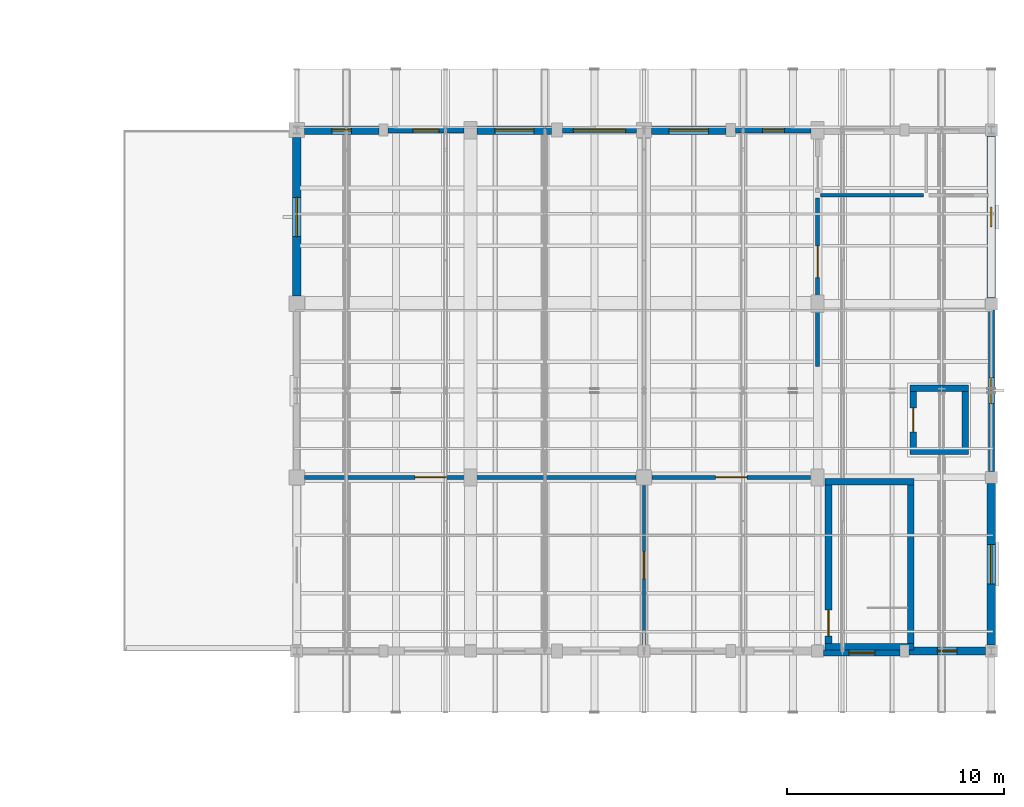
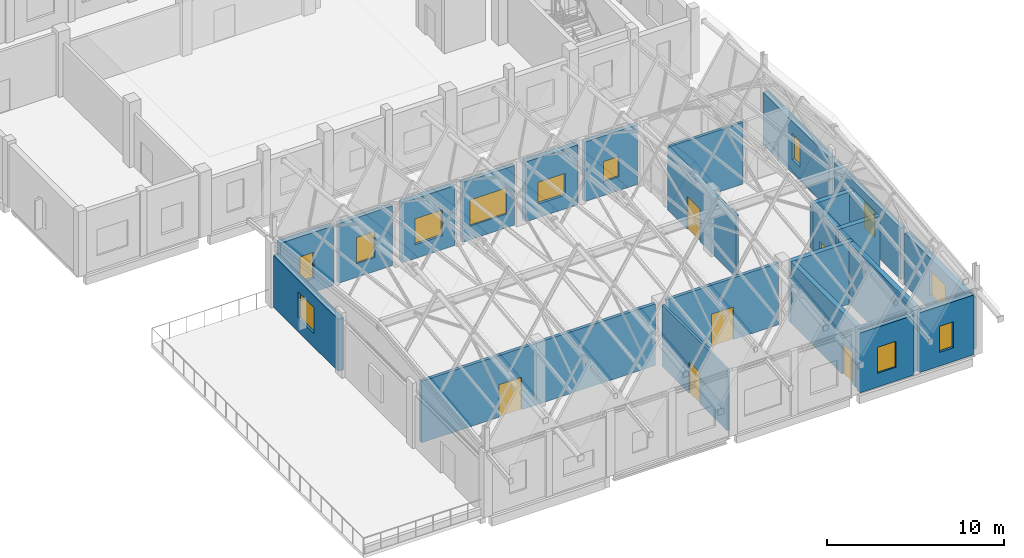
# One storey, part 46 of 77: 25 walls, 12 windows, 6 doors, 18 openings.
"""IFC4 building model written with IfcOpenShell, lengths in metres."""

import ifcopenshell
import ifcopenshell.guid

model = None  # the IFC model being written
_history = None  # IfcOwnerHistory: only IFC2X3 demands one
_inside = {}  # id of a spatial element -> (the spatial element, [elements in it])
_under = {}  # id of a project, library or spatial element -> (it, [spatial elements below it])
_declared = {}  # id of a project -> (the project, [libraries it declares])
_typed = {}  # id of a type object -> (the type object, [elements of that type])
_made_of = {}  # id of a material, layer set ... -> (it, [elements and type objects made of it])


def new_model(schema):
    """Start an empty IFC model of exactly this schema.

    Asked for "IFC4X3", IfcOpenShell would pick the latest addendum, in which some entities
    have other attributes; the version numbers below select the first issue.
    IFC2X3 requires an IfcOwnerHistory on every rooted entity: one is made here for all.
    """
    global model, _history
    if schema == "IFC4X3":
        model = ifcopenshell.file(schema_version=(4, 3, 0, 0))
    else:
        model = ifcopenshell.file(schema=schema)
    _inside.clear()
    _under.clear()
    _declared.clear()
    _typed.clear()
    _made_of.clear()
    _history = None
    if model.schema == "IFC2X3":
        org = make("IfcOrganization", Name="unknown")
        user = make(
            "IfcPersonAndOrganization",
            ThePerson=make("IfcPerson", FamilyName="unknown"),
            TheOrganization=org,
        )
        app = make(
            "IfcApplication",
            ApplicationDeveloper=org,
            Version="unknown",
            ApplicationFullName="unknown",
            ApplicationIdentifier="unknown",
        )
        _history = make(
            "IfcOwnerHistory",
            OwningUser=user,
            OwningApplication=app,
            ChangeAction="ADDED",
            CreationDate=0,
        )
    return model


def make(cls, **values):
    """One entity of the class cls with the attributes given. An attribute that is None is left unset."""
    return model.create_entity(
        cls, **{name: value for name, value in values.items() if value is not None}
    )


def rooted(cls, **values):
    """An entity with a GlobalId (a new one), such as an element, a storey or a relation."""
    return make(cls, GlobalId=ifcopenshell.guid.new(), OwnerHistory=_history, **values)


def si_unit(unit_type, name, prefix=None):
    """IfcSIUnit, for example si_unit("LENGTHUNIT", "METRE", prefix="MILLI")."""
    return make("IfcSIUnit", UnitType=unit_type, Prefix=prefix, Name=name)


def assignment(units):
    """IfcUnitAssignment: the units of a project."""
    return None if units is None else make("IfcUnitAssignment", Units=units)


def point(xyz):
    """IfcCartesianPoint."""
    return None if xyz is None else make("IfcCartesianPoint", Coordinates=xyz)


def direction(xyz):
    """IfcDirection."""
    return None if xyz is None else make("IfcDirection", DirectionRatios=xyz)


def frame(location, z_axis=None, x_axis=None):
    """IfcAxis2Placement3D, a coordinate frame: its origin and axes. An axis left out is left unset."""
    return make(
        "IfcAxis2Placement3D",
        Location=point(location),
        Axis=direction(z_axis),
        RefDirection=direction(x_axis),
    )


def frame_2d(location, x_axis=None):
    """IfcAxis2Placement2D, a coordinate frame in the plane: its origin and x axis."""
    return make(
        "IfcAxis2Placement2D", Location=point(location), RefDirection=direction(x_axis)
    )


def origin():
    """The frame at (0, 0, 0) with its axes left unset."""
    return frame((0.0, 0.0, 0.0))


def place(relative_to, where):
    """IfcLocalPlacement: puts the frame where relative to a parent placement (None: the world)."""
    return make(
        "IfcLocalPlacement", PlacementRelTo=relative_to, RelativePlacement=where
    )


def context(
    kind, dimensions, precision=None, world=None, true_north=None, identifier=None
):
    """IfcGeometricRepresentationContext, for example the 3D "Model" context."""
    return make(
        "IfcGeometricRepresentationContext",
        ContextIdentifier=identifier,
        ContextType=kind,
        CoordinateSpaceDimension=dimensions,
        Precision=precision,
        WorldCoordinateSystem=world,
        TrueNorth=true_north,
    )


def subcontext(parent, identifier, kind, view, scale=None):
    """IfcGeometricRepresentationSubContext, for example "Body" below "Model"."""
    return make(
        "IfcGeometricRepresentationSubContext",
        ContextIdentifier=identifier,
        ContextType=kind,
        ParentContext=parent,
        TargetScale=scale,
        TargetView=view,
    )


def project(units=None, contexts=None):
    """IfcProject with its units and contexts."""
    return rooted(
        "IfcProject",
        Name="project",
        RepresentationContexts=contexts,
        UnitsInContext=assignment(units),
    )


def spatial(cls, under=None, at=None, **own):
    """A site, building, storey or space (cls), placed at a placement, below another one or the project."""
    s = rooted(cls, ObjectPlacement=at, **own)
    if under is not None:
        _under.setdefault(under.id(), (under, []))[1].append(s)
    return s


def profile(cls, at=None, kind="AREA", **sizes):
    """A parametric profile (cls). Its sizes go by their IFC names, for example OverallWidth=200.0."""
    return make(cls, ProfileType=kind, Position=at, **sizes)


def rectangle(**sizes):
    """IfcRectangleProfileDef."""
    return profile("IfcRectangleProfileDef", **sizes)


def extrude(swept, where, along, depth):
    """IfcExtrudedAreaSolid: the profile swept, set in the frame where, extruded along a direction by depth."""
    return make(
        "IfcExtrudedAreaSolid",
        SweptArea=swept,
        Position=where,
        ExtrudedDirection=direction(along),
        Depth=depth,
    )


def shape(context_of_items, identifier, shape_type, items):
    """IfcShapeRepresentation: the items that make up one representation, for example the "Body"."""
    return make(
        "IfcShapeRepresentation",
        ContextOfItems=context_of_items,
        RepresentationIdentifier=identifier,
        RepresentationType=shape_type,
        Items=items,
    )


def material(Name=None, Category=None):
    """IfcMaterial."""
    return make("IfcMaterial", Name=Name, Category=Category)


def layer(
    of_material, thickness, ventilated=None, Name=None, Category=None, Priority=None
):
    """IfcMaterialLayer: one layer of a wall or slab, of a material (None: an air gap)."""
    return make(
        "IfcMaterialLayer",
        Material=of_material,
        LayerThickness=thickness,
        IsVentilated=ventilated,
        Name=Name,
        Category=Category,
        Priority=Priority,
    )


def layer_set(layers, Name=None):
    """IfcMaterialLayerSet."""
    return make("IfcMaterialLayerSet", MaterialLayers=layers, LayerSetName=Name)


def made_of(thing, what):
    """Note that an element or type object is made of a material, layer set ...; save() writes the relation."""
    if what is not None:
        _made_of.setdefault(what.id(), (what, []))[1].append(thing)
    return thing


def type_object(cls, material=None, **own):
    """A type object (cls), such as IfcWallType, which elements share."""
    return made_of(rooted(cls, **own), material)


def element(
    cls,
    number,
    at=None,
    inside=None,
    cuts=None,
    type_object=None,
    material=None,
    context=None,
    identifier="Body",
    shape_type=None,
    held_by="IfcProductDefinitionShape",
    body=None,
    shapes=None,
    **own,
):
    """One element of the class cls, such as IfcWall. Its Tag is "e" and its number.

    at: its placement. inside: the storey or other place that contains it. cuts: it is an
    opening in that element (IfcRelVoidsElement). A single representation is given by context,
    identifier, shape_type and body (its items); several are given by shapes. held_by: the class
    of the entity that holds the representations. save() writes the other relations.
    """
    e = rooted(cls, Tag="e%d" % number, ObjectPlacement=at, **own)
    if body is not None:
        shapes = [shape(context, identifier, shape_type, body)]
    if shapes is not None:
        e.Representation = make(held_by, Representations=shapes)
    if inside is not None:
        _inside.setdefault(inside.id(), (inside, []))[1].append(e)
    if cuts is not None:
        rooted(
            "IfcRelVoidsElement", RelatingBuildingElement=cuts, RelatedOpeningElement=e
        )
    if type_object is not None:
        _typed.setdefault(type_object.id(), (type_object, []))[1].append(e)
    return made_of(e, material)


def fill(opening, filler):
    """IfcRelFillsElement: the door or window that sits in an opening."""
    return rooted(
        "IfcRelFillsElement",
        RelatingOpeningElement=opening,
        RelatedBuildingElement=filler,
    )


def aggregate(whole, parts):
    """IfcRelAggregates: a whole, such as a stair, and the parts it consists of."""
    return rooted("IfcRelAggregates", RelatingObject=whole, RelatedObjects=parts)


def save(model, path):
    """Write the relations noted so far, then the file.

    IfcRelAggregates (storeys below a building ...), IfcRelContainedInSpatialStructure (elements
    in a storey), IfcRelDefinesByType, IfcRelAssociatesMaterial and IfcRelDeclares: one each for
    every whole, place, type object, material and project.
    """
    for whole, parts in _under.values():
        aggregate(whole, parts)
    for where, things in _inside.values():
        rooted(
            "IfcRelContainedInSpatialStructure",
            RelatedElements=things,
            RelatingStructure=where,
        )
    for kind, things in _typed.values():
        rooted("IfcRelDefinesByType", RelatedObjects=things, RelatingType=kind)
    for what, things in _made_of.values():
        rooted("IfcRelAssociatesMaterial", RelatedObjects=things, RelatingMaterial=what)
    for by, libraries in _declared.values():
        rooted("IfcRelDeclares", RelatingContext=by, RelatedDefinitions=libraries)
    model.write(path)


model = new_model("IFC4")

# Units and contexts
model_context = context("Model", 3, precision=1e-05, world=origin(), true_north=direction((0.0, 1.0)))
body_context = subcontext(model_context, "Body", "Model", "MODEL_VIEW")
ifc_project = project(units=[si_unit("LENGTHUNIT", "METRE"), si_unit("AREAUNIT", "SQUARE_METRE"), si_unit("VOLUMEUNIT", "CUBIC_METRE"), si_unit("PLANEANGLEUNIT", "RADIAN"), si_unit("MASSUNIT", "GRAM", prefix="KILO")], contexts=[model_context])

# Site, building, storey
site_placement = place(None, origin())
site = spatial("IfcSite", under=ifc_project, at=site_placement, CompositionType="ELEMENT")
building_placement = place(site_placement, origin())
building = spatial("IfcBuilding", under=site, at=building_placement, Name="Luwemba Playhouse", CompositionType="ELEMENT")
storey_placement = place(building_placement, frame((0.0, 0.0, 9.300048828125)))
storey = spatial("IfcBuildingStorey", under=building, at=storey_placement, Name="L02", CompositionType="ELEMENT", Elevation=9.300048828125)

# Wall, opening, window
ifc_material_1 = material(Name="Clay facing brick obra vista masonry", Category="masonry")
ifc_layer_1 = layer(ifc_material_1, 0.3798828125)
ifc_layer_set_1 = layer_set([ifc_layer_1], Name="Clay facing brick obra vista masonry")
wall_type_1 = type_object("IfcWallType", Name="WAL-BRK-380", PredefinedType="SOLIDWALL", material=ifc_layer_set_1)
wall_1_placement = place(storey_placement, frame((140.0, 52.35009765625, 0.0), z_axis=(0.0, 0.0, 1.0), x_axis=(0.0, 1.0, 0.0)))
wall_1 = element("IfcWall", 1, at=wall_1_placement, inside=storey, type_object=wall_type_1, Name="L02 V3 exterior facade wall 0305", PredefinedType="SOLIDWALL", context=body_context, shape_type="SweptSolid", body=[
    extrude(rectangle(XDim=7.2998046875, YDim=0.3798828125, at=frame_2d((3.64990234375, 0.0))), origin(), (0.0, 0.0, 1.0), 3.5849609375),
])
opening_1_placement = place(wall_1_placement, frame((2.75, 0.0, 0.949951171875)))
opening_1 = element("IfcOpeningElement", 2, at=opening_1_placement, cuts=wall_1, Name="Opening WN-04", PredefinedType="OPENING", context=body_context, shape_type="SweptSolid", body=[
    extrude(rectangle(XDim=1.800048828125, YDim=1.800048828125, at=frame_2d((0.89990234375, 0.89990234375))), frame((0.0, 0.199951171875, 0.0), z_axis=(0.0, -1.0, 0.0), x_axis=(1.0, 0.0, 0.0)), (0.0, 0.0, 1.0), 0.39990234375),
])
ifc_material_2 = material(Name="Solar-control double glazing in aluminium frame", Category="aluminium")
window_type_1 = type_object("IfcWindowType", Name="WIN-WN-04", PartitioningType="DOUBLE_PANEL_VERTICAL", PredefinedType="WINDOW", material=ifc_material_2)
window_1_placement = place(opening_1_placement, origin())
window_1 = element("IfcWindow", 3, at=window_1_placement, inside=storey, type_object=window_type_1, Name="L02 V3 scheduled window 0250", OverallHeight=1.800048828125, OverallWidth=1.800048828125, PartitioningType="DOUBLE_PANEL_VERTICAL", PredefinedType="WINDOW", context=body_context, shape_type="SweptSolid", body=[
    extrude(rectangle(XDim=1.800048828125, YDim=1.800048828125, at=frame_2d((0.89990234375, 0.89990234375))), frame((0.0, 0.030029296875, 0.0), z_axis=(0.0, -1.0, 0.0), x_axis=(1.0, 0.0, 0.0)), (0.0, 0.0, 1.0), 0.06005859375),
])
fill(opening_1, window_1)

wall_2_placement = place(storey_placement, frame((140.35009765625, 60.0, 0.0), z_axis=(0.0, 0.0, 1.0), x_axis=(1.0, 0.0, 0.0)))
wall_2 = element("IfcWall", 4, at=wall_2_placement, inside=storey, type_object=wall_type_1, Name="L02 V3 exterior facade wall 0306", PredefinedType="SOLIDWALL", context=body_context, shape_type="SweptSolid", body=[
    extrude(rectangle(XDim=3.449951171875, YDim=0.3798828125, at=frame_2d((1.72509765625, 0.0))), origin(), (0.0, 0.0, 1.0), 4.125),
])
opening_2_placement = place(wall_2_placement, frame((1.27490234375, 0.0, 0.949951171875)))
opening_2 = element("IfcOpeningElement", 5, at=opening_2_placement, cuts=wall_2, Name="Opening WN-18", PredefinedType="OPENING", context=body_context, shape_type="SweptSolid", body=[
    extrude(rectangle(XDim=0.89990234375, YDim=1.800048828125, at=frame_2d((0.449951171875, 0.89990234375))), frame((0.0, 0.199951171875, 0.0), z_axis=(0.0, -1.0, 0.0), x_axis=(1.0, 0.0, 0.0)), (0.0, 0.0, 1.0), 0.39990234375),
])
window_type_2 = type_object("IfcWindowType", Name="WIN-WN-18", PartitioningType="SINGLE_PANEL", PredefinedType="WINDOW", material=ifc_material_2)
window_2_placement = place(opening_2_placement, origin())
window_2 = element("IfcWindow", 6, at=window_2_placement, inside=storey, type_object=window_type_2, Name="L02 V3 scheduled window 0251", OverallHeight=1.800048828125, OverallWidth=0.89990234375, PartitioningType="SINGLE_PANEL", PredefinedType="WINDOW", context=body_context, shape_type="SweptSolid", body=[
    extrude(rectangle(XDim=0.89990234375, YDim=1.800048828125, at=frame_2d((0.449951171875, 0.89990234375))), frame((0.0, 0.030029296875, 0.0), z_axis=(0.0, -1.0, 0.0), x_axis=(1.0, 0.0, 0.0)), (0.0, 0.0, 1.0), 0.06005859375),
])
fill(opening_2, window_2)

wall_3_placement = place(storey_placement, frame((148.300048828125, 60.0, 0.0), z_axis=(0.0, 0.0, 1.0), x_axis=(1.0, 0.0, 0.0)))
wall_3 = element("IfcWall", 7, at=wall_3_placement, inside=storey, type_object=wall_type_1, Name="L02 V3 exterior facade wall 0308", PredefinedType="SOLIDWALL", context=body_context, shape_type="SweptSolid", body=[
    extrude(rectangle(XDim=3.449951171875, YDim=0.3798828125, at=frame_2d((1.72509765625, 0.0))), origin(), (0.0, 0.0, 1.0), 4.125),
])
opening_3_placement = place(wall_3_placement, frame((0.824951171875, 0.0, 0.949951171875)))
opening_3 = element("IfcOpeningElement", 8, at=opening_3_placement, cuts=wall_3, Name="Opening WN-04", PredefinedType="OPENING", context=body_context, shape_type="SweptSolid", body=[
    extrude(rectangle(XDim=1.800048828125, YDim=1.800048828125, at=frame_2d((0.89990234375, 0.89990234375))), frame((0.0, 0.199951171875, 0.0), z_axis=(0.0, -1.0, 0.0), x_axis=(1.0, 0.0, 0.0)), (0.0, 0.0, 1.0), 0.39990234375),
])
window_3_placement = place(opening_3_placement, origin())
window_3 = element("IfcWindow", 9, at=window_3_placement, inside=storey, type_object=window_type_1, Name="L02 V3 scheduled window 0253", OverallHeight=1.800048828125, OverallWidth=1.800048828125, PartitioningType="DOUBLE_PANEL_VERTICAL", PredefinedType="WINDOW", context=body_context, shape_type="SweptSolid", body=[
    extrude(rectangle(XDim=1.800048828125, YDim=1.800048828125, at=frame_2d((0.89990234375, 0.89990234375))), frame((0.0, 0.030029296875, 0.0), z_axis=(0.0, -1.0, 0.0), x_axis=(1.0, 0.0, 0.0)), (0.0, 0.0, 1.0), 0.06005859375),
])
fill(opening_3, window_3)

wall_4_placement = place(storey_placement, frame((156.35009765625, 60.0, 0.0), z_axis=(0.0, 0.0, 1.0), x_axis=(1.0, 0.0, 0.0)))
wall_4 = element("IfcWall", 10, at=wall_4_placement, inside=storey, type_object=wall_type_1, Name="L02 V3 exterior facade wall 0310", PredefinedType="SOLIDWALL", context=body_context, shape_type="SweptSolid", body=[
    extrude(rectangle(XDim=3.4248046875, YDim=0.3798828125, at=frame_2d((1.71240234375, 0.0))), origin(), (0.0, 0.0, 1.0), 4.125),
])
opening_4_placement = place(wall_4_placement, frame((0.8125, 0.0, 0.949951171875)))
opening_4 = element("IfcOpeningElement", 11, at=opening_4_placement, cuts=wall_4, Name="Opening WN-10", PredefinedType="OPENING", context=body_context, shape_type="SweptSolid", body=[
    extrude(rectangle(XDim=1.800048828125, YDim=1.5, at=frame_2d((0.89990234375, 0.75))), frame((0.0, 0.199951171875, 0.0), z_axis=(0.0, -1.0, 0.0), x_axis=(1.0, 0.0, 0.0)), (0.0, 0.0, 1.0), 0.39990234375),
])
window_type_3 = type_object("IfcWindowType", Name="WIN-WN-10", PartitioningType="DOUBLE_PANEL_VERTICAL", PredefinedType="WINDOW", material=ifc_material_2)
window_4_placement = place(opening_4_placement, origin())
window_4 = element("IfcWindow", 12, at=window_4_placement, inside=storey, type_object=window_type_3, Name="L02 V3 scheduled window 0255", OverallHeight=1.5, OverallWidth=1.800048828125, PartitioningType="DOUBLE_PANEL_VERTICAL", PredefinedType="WINDOW", context=body_context, shape_type="SweptSolid", body=[
    extrude(rectangle(XDim=1.800048828125, YDim=1.5, at=frame_2d((0.89990234375, 0.75))), frame((0.0, 0.030029296875, 0.0), z_axis=(0.0, -1.0, 0.0), x_axis=(1.0, 0.0, 0.0)), (0.0, 0.0, 1.0), 0.06005859375),
])
fill(opening_4, window_4)

wall_5_placement = place(storey_placement, frame((172.0, 59.72509765625, 0.0), z_axis=(0.0, 0.0, 1.0), x_axis=(0.0, -1.0, 0.0)))
wall_5 = element("IfcWall", 13, at=wall_5_placement, inside=storey, type_object=wall_type_1, Name="L02 V3 exterior facade wall 0314", PredefinedType="SOLIDWALL", context=body_context, shape_type="SweptSolid", body=[
    extrude(rectangle(XDim=7.4501953125, YDim=0.3798828125, at=frame_2d((3.72509765625, 0.0))), origin(), (0.0, 0.0, 1.0), 3.5849609375),
])
opening_5_placement = place(wall_5_placement, frame((3.27490234375, 0.0, 0.949951171875)))
opening_5 = element("IfcOpeningElement", 14, at=opening_5_placement, cuts=wall_5, Name="Opening WN-18", PredefinedType="OPENING", context=body_context, shape_type="SweptSolid", body=[
    extrude(rectangle(XDim=0.89990234375, YDim=1.800048828125, at=frame_2d((0.449951171875, 0.89990234375))), frame((0.0, 0.199951171875, 0.0), z_axis=(0.0, -1.0, 0.0), x_axis=(1.0, 0.0, 0.0)), (0.0, 0.0, 1.0), 0.39990234375),
])
window_5_placement = place(opening_5_placement, origin())
window_5 = element("IfcWindow", 15, at=window_5_placement, inside=storey, type_object=window_type_2, Name="L02 V3 scheduled window 0259", OverallHeight=1.800048828125, OverallWidth=0.89990234375, PartitioningType="SINGLE_PANEL", PredefinedType="WINDOW", context=body_context, shape_type="SweptSolid", body=[
    extrude(rectangle(XDim=0.89990234375, YDim=1.800048828125, at=frame_2d((0.449951171875, 0.89990234375))), frame((0.0, 0.030029296875, 0.0), z_axis=(0.0, -1.0, 0.0), x_axis=(1.0, 0.0, 0.0)), (0.0, 0.0, 1.0), 0.06005859375),
])
fill(opening_5, window_5)

wall_6_placement = place(storey_placement, frame((172.0, 43.72509765625, 0.0), z_axis=(0.0, 0.0, 1.0), x_axis=(0.0, -1.0, 0.0)))
wall_6 = element("IfcWall", 16, at=wall_6_placement, inside=storey, type_object=wall_type_1, Name="L02 V3 exterior facade wall 0316", PredefinedType="SOLIDWALL", context=body_context, shape_type="SweptSolid", body=[
    extrude(rectangle(XDim=7.4501953125, YDim=0.3798828125, at=frame_2d((3.72509765625, 0.0))), origin(), (0.0, 0.0, 1.0), 3.5849609375),
])
opening_6_placement = place(wall_6_placement, frame((2.824951171875, 0.0, 0.949951171875)))
opening_6 = element("IfcOpeningElement", 17, at=opening_6_placement, cuts=wall_6, Name="Opening WN-04", PredefinedType="OPENING", context=body_context, shape_type="SweptSolid", body=[
    extrude(rectangle(XDim=1.800048828125, YDim=1.800048828125, at=frame_2d((0.89990234375, 0.89990234375))), frame((0.0, 0.199951171875, 0.0), z_axis=(0.0, -1.0, 0.0), x_axis=(1.0, 0.0, 0.0)), (0.0, 0.0, 1.0), 0.39990234375),
])
window_6_placement = place(opening_6_placement, origin())
window_6 = element("IfcWindow", 18, at=window_6_placement, inside=storey, type_object=window_type_1, Name="L02 V3 scheduled window 0261", OverallHeight=1.800048828125, OverallWidth=1.800048828125, PartitioningType="DOUBLE_PANEL_VERTICAL", PredefinedType="WINDOW", context=body_context, shape_type="SweptSolid", body=[
    extrude(rectangle(XDim=1.800048828125, YDim=1.800048828125, at=frame_2d((0.89990234375, 0.89990234375))), frame((0.0, 0.030029296875, 0.0), z_axis=(0.0, -1.0, 0.0), x_axis=(1.0, 0.0, 0.0)), (0.0, 0.0, 1.0), 0.06005859375),
])
fill(opening_6, window_6)

wall_7_placement = place(storey_placement, frame((171.72509765625, 36.0, 0.0), z_axis=(0.0, 0.0, 1.0), x_axis=(-1.0, 0.0, 0.0)))
wall_7 = element("IfcWall", 19, at=wall_7_placement, inside=storey, type_object=wall_type_1, Name="L02 V3 exterior facade wall 0317", PredefinedType="SOLIDWALL", context=body_context, shape_type="SweptSolid", body=[
    extrude(rectangle(XDim=3.525146484375, YDim=0.3798828125, at=frame_2d((1.7626953125, 0.0))), origin(), (0.0, 0.0, 1.0), 4.125),
])
opening_7_placement = place(wall_7_placement, frame((1.3125, 0.0, 0.949951171875)))
opening_7 = element("IfcOpeningElement", 20, at=opening_7_placement, cuts=wall_7, Name="Opening WN-18", PredefinedType="OPENING", context=body_context, shape_type="SweptSolid", body=[
    extrude(rectangle(XDim=0.89990234375, YDim=1.800048828125, at=frame_2d((0.449951171875, 0.89990234375))), frame((0.0, 0.199951171875, 0.0), z_axis=(0.0, -1.0, 0.0), x_axis=(1.0, 0.0, 0.0)), (0.0, 0.0, 1.0), 0.39990234375),
])
window_7_placement = place(opening_7_placement, origin())
window_7 = element("IfcWindow", 21, at=window_7_placement, inside=storey, type_object=window_type_2, Name="L02 V3 scheduled window 0262", OverallHeight=1.800048828125, OverallWidth=0.89990234375, PartitioningType="SINGLE_PANEL", PredefinedType="WINDOW", context=body_context, shape_type="SweptSolid", body=[
    extrude(rectangle(XDim=0.89990234375, YDim=1.800048828125, at=frame_2d((0.449951171875, 0.89990234375))), frame((0.0, 0.030029296875, 0.0), z_axis=(0.0, -1.0, 0.0), x_axis=(1.0, 0.0, 0.0)), (0.0, 0.0, 1.0), 0.06005859375),
])
fill(opening_7, window_7)

# Walls
ifc_material_3 = material(Name="Concrete C40/50", Category="concrete")
ifc_layer_2 = layer(ifc_material_3, 0.300048828125)
ifc_layer_set_2 = layer_set([ifc_layer_2], Name="Concrete C40/50")
wall_type_2 = type_object("IfcWallType", Name="WAL-CORE-300", PredefinedType="SHEAR", material=ifc_layer_set_2)
for number, where, z_axis, x_axis, name in (
    (22, (164.35009765625, 36.18994140625, 0.0), (0.0, 0.0, 1.0), (1.0, 0.0, 0.0), "L02 ST-06 stair core wall S"),
    (23, (168.449951171875, 43.81005859375, 0.0), (0.0, 0.0, 1.0), (-1.0, 0.0, 0.0), "L02 ST-06 stair core wall N"),
):
    element("IfcWall", number, at=place(storey_placement, frame(where, z_axis=z_axis, x_axis=x_axis)), inside=storey, type_object=wall_type_2, Name=name, PredefinedType="SHEAR", context=body_context, shape_type="SweptSolid", body=[
        extrude(rectangle(XDim=4.099853515625, YDim=0.300048828125, at=frame_2d((2.0498046875, 0.0))), origin(), (0.0, 0.0, 1.0), 4.25),
    ])

# Wall, opening, door
wall_8_placement = place(storey_placement, frame((164.5, 43.659912109375, 0.0), z_axis=(0.0, 0.0, 1.0), x_axis=(0.0, -1.0, 0.0)))
wall_8 = element("IfcWall", 24, at=wall_8_placement, inside=storey, type_object=wall_type_2, Name="L02 ST-06 stair core wall W", PredefinedType="SHEAR", context=body_context, shape_type="SweptSolid", body=[
    extrude(rectangle(XDim=7.31982421875, YDim=0.300048828125, at=frame_2d((3.659912109375, 0.0))), origin(), (0.0, 0.0, 1.0), 4.25),
])
opening_8_placement = place(wall_8_placement, frame((5.77001953125, 0.0, 0.0)))
opening_8 = element("IfcOpeningElement", 25, at=opening_8_placement, cuts=wall_8, Name="Opening D-STAIR3", PredefinedType="OPENING", context=body_context, shape_type="SweptSolid", body=[
    extrude(rectangle(XDim=1.199951171875, YDim=2.14990234375, at=frame_2d((0.60009765625, 1.074951171875))), frame((0.0, 0.159912109375, 0.0), z_axis=(0.0, -1.0, 0.0), x_axis=(1.0, 0.0, 0.0)), (0.0, 0.0, 1.0), 0.320068359375),
])
ifc_material_4 = material(Name="Hardwood acoustic fire door leaf", Category="wood")
door_type_1 = type_object("IfcDoorType", Name="DR-STAIR-120", OperationType="NOTDEFINED", PredefinedType="DOOR", material=ifc_material_4)
door_1_placement = place(opening_8_placement, origin())
door_1 = element("IfcDoor", 26, at=door_1_placement, inside=storey, type_object=door_type_1, Name="L02 ST-06 protected stair entry door", OperationType="SINGLE_SWING_LEFT", OverallHeight=2.14990234375, OverallWidth=1.199951171875, PredefinedType="DOOR", context=body_context, shape_type="SweptSolid", body=[
    extrude(rectangle(XDim=1.199951171875, YDim=2.14990234375, at=frame_2d((0.60009765625, 1.074951171875))), frame((0.0, 0.02490234375, 0.0), z_axis=(0.0, -1.0, 0.0), x_axis=(1.0, 0.0, 0.0)), (0.0, 0.0, 1.0), 0.050048828125),
])
fill(opening_8, door_1)

# Walls
wall_9_placement = place(storey_placement, frame((168.300048828125, 43.659912109375, 0.0), z_axis=(0.0, 0.0, 1.0), x_axis=(0.0, -1.0, 0.0)))
element("IfcWall", 27, at=wall_9_placement, inside=storey, type_object=wall_type_2, Name="L02 ST-06 stair core wall E", PredefinedType="SHEAR", context=body_context, shape_type="SweptSolid", body=[
    extrude(rectangle(XDim=7.31982421875, YDim=0.300048828125, at=frame_2d((3.659912109375, 0.0))), origin(), (0.0, 0.0, 1.0), 4.25),
])
for number, where, z_axis, x_axis, name in (
    (28, (168.25, 45.199951171875, 0.0), (0.0, 0.0, 1.0), (1.0, 0.0, 0.0), "L02 Lift LF-P3 shaft wall S"),
    (29, (170.949951171875, 48.10009765625, 0.0), (0.0, 0.0, 1.0), (-1.0, 0.0, 0.0), "L02 Lift LF-P3 shaft wall N"),
):
    element("IfcWall", number, at=place(storey_placement, frame(where, z_axis=z_axis, x_axis=x_axis)), inside=storey, type_object=wall_type_2, Name=name, PredefinedType="SHEAR", context=body_context, shape_type="SweptSolid", body=[
        extrude(rectangle(XDim=2.699951171875, YDim=0.300048828125, at=frame_2d((1.35009765625, 0.0))), origin(), (0.0, 0.0, 1.0), 4.25),
    ])

# Wall, opening, door
wall_10_placement = place(storey_placement, frame((168.39990234375, 45.35009765625, 0.0), z_axis=(0.0, 0.0, 1.0), x_axis=(0.0, 1.0, 0.0)))
wall_10 = element("IfcWall", 30, at=wall_10_placement, inside=storey, type_object=wall_type_2, Name="L02 Lift LF-P3 shaft wall W", PredefinedType="SHEAR", context=body_context, shape_type="SweptSolid", body=[
    extrude(rectangle(XDim=2.599853515625, YDim=0.300048828125, at=frame_2d((1.2998046875, 0.0))), origin(), (0.0, 0.0, 1.0), 4.25),
])
opening_9_placement = place(wall_10_placement, frame((0.75, 0.0, 0.0)))
opening_9 = element("IfcOpeningElement", 31, at=opening_9_placement, cuts=wall_10, Name="Opening LD-01", PredefinedType="OPENING", context=body_context, shape_type="SweptSolid", body=[
    extrude(rectangle(XDim=1.10009765625, YDim=2.14990234375, at=frame_2d((0.550048828125, 1.074951171875))), frame((0.0, 0.159912109375, 0.0), z_axis=(0.0, -1.0, 0.0), x_axis=(1.0, 0.0, 0.0)), (0.0, 0.0, 1.0), 0.320068359375),
])
ifc_material_5 = material(Name="Stainless steel lift landing doors", Category="steel")
door_type_2 = type_object("IfcDoorType", Name="DR-LIFT-110", OperationType="NOTDEFINED", PredefinedType="DOOR", material=ifc_material_5)
door_2_placement = place(opening_9_placement, origin())
door_2 = element("IfcDoor", 32, at=door_2_placement, inside=storey, type_object=door_type_2, Name="L02 Lift LF-P3 landing door", OperationType="DOUBLE_DOOR_SLIDING", OverallHeight=2.14990234375, OverallWidth=1.10009765625, PredefinedType="DOOR", context=body_context, shape_type="SweptSolid", body=[
    extrude(rectangle(XDim=1.10009765625, YDim=2.14990234375, at=frame_2d((0.550048828125, 1.074951171875))), frame((0.0, 0.02490234375, 0.0), z_axis=(0.0, -1.0, 0.0), x_axis=(1.0, 0.0, 0.0)), (0.0, 0.0, 1.0), 0.050048828125),
])
fill(opening_9, door_2)

# Wall
wall_11_placement = place(storey_placement, frame((170.800048828125, 47.949951171875, 0.0), z_axis=(0.0, 0.0, 1.0), x_axis=(0.0, -1.0, 0.0)))
element("IfcWall", 33, at=wall_11_placement, inside=storey, type_object=wall_type_2, Name="L02 Lift LF-P3 shaft wall E", PredefinedType="SHEAR", context=body_context, shape_type="SweptSolid", body=[
    extrude(rectangle(XDim=2.599853515625, YDim=0.300048828125, at=frame_2d((1.2998046875, 0.0))), origin(), (0.0, 0.0, 1.0), 4.25),
])

# Wall, opening, door
ifc_material_6 = material(Name="Acoustic gypsum stud partition", Category="gypsum")
ifc_layer_3 = layer(ifc_material_6, 0.14990234375)
ifc_layer_set_3 = layer_set([ifc_layer_3], Name="Acoustic gypsum stud partition")
wall_type_3 = type_object("IfcWallType", Name="WAL-INT-150", PredefinedType="PARTITIONING", material=ifc_layer_set_3)
wall_12_placement = place(storey_placement, frame((156.0, 36.294921875, 0.0), z_axis=(0.0, 0.0, 1.0), x_axis=(0.0, 1.0, 0.0)))
wall_12 = element("IfcWall", 34, at=wall_12_placement, inside=storey, type_object=wall_type_3, Name="L02 V3 interior partition 0174", PredefinedType="PARTITIONING", context=body_context, shape_type="SweptSolid", body=[
    extrude(rectangle(XDim=7.3349609375, YDim=0.14990234375, at=frame_2d((3.66748046875, 0.0))), origin(), (0.0, 0.0, 1.0), 4.25),
])
opening_10_placement = place(wall_12_placement, frame((3.04248046875, 0.0, 0.0)))
opening_10 = element("IfcOpeningElement", 35, at=opening_10_placement, cuts=wall_12, Name="Opening D-IN1", PredefinedType="OPENING", context=body_context, shape_type="SweptSolid", body=[
    extrude(rectangle(XDim=1.25, YDim=2.14990234375, at=frame_2d((0.625, 1.074951171875))), frame((0.0, 0.0849609375, 0.0), z_axis=(0.0, -1.0, 0.0), x_axis=(1.0, 0.0, 0.0)), (0.0, 0.0, 1.0), 0.169921875),
])
ifc_material_7 = material(Name="Solid hardwood interior door", Category="wood")
door_type_3 = type_object("IfcDoorType", Name="DR-INT-125", OperationType="NOTDEFINED", PredefinedType="DOOR", material=ifc_material_7)
door_3_placement = place(opening_10_placement, origin())
door_3 = element("IfcDoor", 36, at=door_3_placement, inside=storey, type_object=door_type_3, Name="L02 Studio Terrace Reception Salon to Playwright Script Reading Room door", OperationType="SINGLE_SWING_LEFT", OverallHeight=2.14990234375, OverallWidth=1.25, PredefinedType="DOOR", context=body_context, shape_type="SweptSolid", body=[
    extrude(rectangle(XDim=1.25, YDim=2.14990234375, at=frame_2d((0.625, 1.074951171875))), frame((0.0, 0.02490234375, 0.0), z_axis=(0.0, -1.0, 0.0), x_axis=(1.0, 0.0, 0.0)), (0.0, 0.0, 1.0), 0.050048828125),
])
fill(opening_10, door_3)

ifc_material_8 = material(Name="Double-stud acoustic gypsum partition", Category="gypsum")
ifc_layer_4 = layer(ifc_material_8, 0.179931640625)
ifc_layer_set_4 = layer_set([ifc_layer_4], Name="Double-stud acoustic gypsum partition")
wall_type_4 = type_object("IfcWallType", Name="WAL-INT-180", PredefinedType="PARTITIONING", material=ifc_layer_set_4)
wall_13_placement = place(storey_placement, frame((164.0, 49.1201171875, 0.0), z_axis=(0.0, 0.0, 1.0), x_axis=(0.0, 1.0, 0.0)))
wall_13 = element("IfcWall", 37, at=wall_13_placement, inside=storey, type_object=wall_type_4, Name="L02 V3 interior partition 0172", PredefinedType="PARTITIONING", context=body_context, shape_type="SweptSolid", body=[
    extrude(rectangle(XDim=7.759765625, YDim=0.179931640625, at=frame_2d((3.8798828125, 0.0))), origin(), (0.0, 0.0, 1.0), 4.25),
])
opening_11_placement = place(wall_13_placement, frame((4.086181640625, 0.0, 0.0)))
opening_11 = element("IfcOpeningElement", 38, at=opening_11_placement, cuts=wall_13, Name="Opening D-REH1", PredefinedType="OPENING", context=body_context, shape_type="SweptSolid", body=[
    extrude(rectangle(XDim=1.449951171875, YDim=2.25, at=frame_2d((0.72509765625, 1.125))), frame((0.0, 0.099853515625, 0.0), z_axis=(0.0, -1.0, 0.0), x_axis=(1.0, 0.0, 0.0)), (0.0, 0.0, 1.0), 0.199951171875),
])
ifc_material_9 = material(Name="Acoustic rehearsal leaf-and-half door", Category="wood")
door_type_4 = type_object("IfcDoorType", Name="DR-REH-145", OperationType="NOTDEFINED", PredefinedType="DOOR", material=ifc_material_9)
door_4_placement = place(opening_11_placement, origin())
door_4 = element("IfcDoor", 39, at=door_4_placement, inside=storey, type_object=door_type_4, Name="L02 Ensemble Chamber Practice Hall to Theatrical Video Editing Suite door", OperationType="SINGLE_SWING_LEFT", OverallHeight=2.25, OverallWidth=1.449951171875, PredefinedType="DOOR", context=body_context, shape_type="SweptSolid", body=[
    extrude(rectangle(XDim=1.449951171875, YDim=2.25, at=frame_2d((0.72509765625, 1.125))), frame((0.0, 0.02490234375, 0.0), z_axis=(0.0, -1.0, 0.0), x_axis=(1.0, 0.0, 0.0)), (0.0, 0.0, 1.0), 0.050048828125),
])
fill(opening_11, door_4)

# Wall
wall_14_placement = place(storey_placement, frame((164.1201171875, 57.0, 0.0), z_axis=(0.0, 0.0, 1.0), x_axis=(1.0, 0.0, 0.0)))
element("IfcWall", 40, at=wall_14_placement, inside=storey, type_object=wall_type_4, Name="L02 V3 interior partition 0176", PredefinedType="PARTITIONING", context=body_context, shape_type="SweptSolid", body=[
    extrude(rectangle(XDim=4.759765625, YDim=0.179931640625, at=frame_2d((2.3798828125, 0.0))), origin(), (0.0, 0.0, 1.0), 4.25),
])

# Wall, opening, door
ifc_material_10 = material(Name="Clay acoustic masonry blockwork", Category="masonry")
ifc_layer_5 = layer(ifc_material_10, 0.199951171875)
ifc_layer_set_5 = layer_set([ifc_layer_5], Name="Clay acoustic masonry blockwork")
wall_type_5 = type_object("IfcWallType", Name="WAL-INT-200", PredefinedType="PARTITIONING", material=ifc_layer_set_5)
wall_15_placement = place(storey_placement, frame((140.3701171875, 44.0, 0.0), z_axis=(0.0, 0.0, 1.0), x_axis=(1.0, 0.0, 0.0)))
wall_15 = element("IfcWall", 41, at=wall_15_placement, inside=storey, type_object=wall_type_5, Name="L02 V3 interior partition 0170", PredefinedType="PARTITIONING", context=body_context, shape_type="SweptSolid", body=[
    extrude(rectangle(XDim=15.259765625, YDim=0.199951171875, at=frame_2d((7.6298828125, 0.0))), origin(), (0.0, 0.0, 1.0), 4.25),
])
opening_12_placement = place(wall_15_placement, frame((5.07373046875, 0.0, 0.0)))
opening_12 = element("IfcOpeningElement", 42, at=opening_12_placement, cuts=wall_15, Name="Opening D-REH1", PredefinedType="OPENING", context=body_context, shape_type="SweptSolid", body=[
    extrude(rectangle(XDim=1.449951171875, YDim=2.25, at=frame_2d((0.72509765625, 1.125))), frame((0.0, 0.10986328125, 0.0), z_axis=(0.0, -1.0, 0.0), x_axis=(1.0, 0.0, 0.0)), (0.0, 0.0, 1.0), 0.219970703125),
])
door_5_placement = place(opening_12_placement, origin())
door_5 = element("IfcDoor", 43, at=door_5_placement, inside=storey, type_object=door_type_4, Name="L02 Ensemble Chamber Practice Hall to Studio Terrace Reception Salon door", OperationType="SINGLE_SWING_LEFT", OverallHeight=2.25, OverallWidth=1.449951171875, PredefinedType="DOOR", context=body_context, shape_type="SweptSolid", body=[
    extrude(rectangle(XDim=1.449951171875, YDim=2.25, at=frame_2d((0.72509765625, 1.125))), frame((0.0, 0.02490234375, 0.0), z_axis=(0.0, -1.0, 0.0), x_axis=(1.0, 0.0, 0.0)), (0.0, 0.0, 1.0), 0.050048828125),
])
fill(opening_12, door_5)

wall_16_placement = place(storey_placement, frame((156.3701171875, 44.0, 0.0), z_axis=(0.0, 0.0, 1.0), x_axis=(1.0, 0.0, 0.0)))
wall_16 = element("IfcWall", 44, at=wall_16_placement, inside=storey, type_object=wall_type_5, Name="L02 V3 interior partition 0171", PredefinedType="PARTITIONING", context=body_context, shape_type="SweptSolid", body=[
    extrude(rectangle(XDim=7.309814453125, YDim=0.199951171875, at=frame_2d((3.65478515625, 0.0))), origin(), (0.0, 0.0, 1.0), 4.25),
])
opening_13_placement = place(wall_16_placement, frame((2.929931640625, 0.0, 0.0)))
opening_13 = element("IfcOpeningElement", 45, at=opening_13_placement, cuts=wall_16, Name="Opening D-REH1", PredefinedType="OPENING", context=body_context, shape_type="SweptSolid", body=[
    extrude(rectangle(XDim=1.449951171875, YDim=2.25, at=frame_2d((0.72509765625, 1.125))), frame((0.0, 0.10986328125, 0.0), z_axis=(0.0, -1.0, 0.0), x_axis=(1.0, 0.0, 0.0)), (0.0, 0.0, 1.0), 0.219970703125),
])
door_6_placement = place(opening_13_placement, origin())
door_6 = element("IfcDoor", 46, at=door_6_placement, inside=storey, type_object=door_type_4, Name="L02 Ensemble Chamber Practice Hall to Playwright Script Reading Room door", OperationType="SINGLE_SWING_RIGHT", OverallHeight=2.25, OverallWidth=1.449951171875, PredefinedType="DOOR", context=body_context, shape_type="SweptSolid", body=[
    extrude(rectangle(XDim=1.449951171875, YDim=2.25, at=frame_2d((0.72509765625, 1.125))), frame((0.0, 0.02490234375, 0.0), z_axis=(0.0, -1.0, 0.0), x_axis=(1.0, 0.0, 0.0)), (0.0, 0.0, 1.0), 0.050048828125),
])
fill(opening_13, door_6)

# Wall, opening, window
ifc_material_11 = material(Name="Structural timber GL24h infill", Category="wood")
ifc_layer_6 = layer(ifc_material_11, 0.280029296875)
ifc_layer_set_6 = layer_set([ifc_layer_6], Name="Structural timber GL24h infill")
wall_type_6 = type_object("IfcWallType", Name="WAL-TIM-280", PredefinedType="SOLIDWALL", material=ifc_layer_set_6)
wall_17_placement = place(storey_placement, frame((144.199951171875, 60.0, 0.0), z_axis=(0.0, 0.0, 1.0), x_axis=(1.0, 0.0, 0.0)))
wall_17 = element("IfcWall", 47, at=wall_17_placement, inside=storey, type_object=wall_type_6, Name="L02 V3 exterior facade wall 0307", PredefinedType="SOLIDWALL", context=body_context, shape_type="SweptSolid", body=[
    extrude(rectangle(XDim=3.5, YDim=0.280029296875, at=frame_2d((1.75, 0.0))), origin(), (0.0, 0.0, 1.0), 4.125),
])
opening_14_placement = place(wall_17_placement, frame((1.14990234375, 0.0, 0.949951171875)))
opening_14 = element("IfcOpeningElement", 48, at=opening_14_placement, cuts=wall_17, Name="Opening WN-01", PredefinedType="OPENING", context=body_context, shape_type="SweptSolid", body=[
    extrude(rectangle(XDim=1.199951171875, YDim=1.800048828125, at=frame_2d((0.60009765625, 0.89990234375))), frame((0.0, 0.14990234375, 0.0), z_axis=(0.0, -1.0, 0.0), x_axis=(1.0, 0.0, 0.0)), (0.0, 0.0, 1.0), 0.300048828125),
])
window_type_4 = type_object("IfcWindowType", Name="WIN-WN-01", PartitioningType="SINGLE_PANEL", PredefinedType="WINDOW", material=ifc_material_2)
window_8_placement = place(opening_14_placement, origin())
window_8 = element("IfcWindow", 49, at=window_8_placement, inside=storey, type_object=window_type_4, Name="L02 V3 scheduled window 0252", OverallHeight=1.800048828125, OverallWidth=1.199951171875, PartitioningType="SINGLE_PANEL", PredefinedType="WINDOW", context=body_context, shape_type="SweptSolid", body=[
    extrude(rectangle(XDim=1.199951171875, YDim=1.800048828125, at=frame_2d((0.60009765625, 0.89990234375))), frame((0.0, 0.030029296875, 0.0), z_axis=(0.0, -1.0, 0.0), x_axis=(1.0, 0.0, 0.0)), (0.0, 0.0, 1.0), 0.06005859375),
])
fill(opening_14, window_8)

wall_18_placement = place(storey_placement, frame((152.25, 60.0, 0.0), z_axis=(0.0, 0.0, 1.0), x_axis=(1.0, 0.0, 0.0)))
wall_18 = element("IfcWall", 50, at=wall_18_placement, inside=storey, type_object=wall_type_6, Name="L02 V3 exterior facade wall 0309", PredefinedType="SOLIDWALL", context=body_context, shape_type="SweptSolid", body=[
    extrude(rectangle(XDim=3.39990234375, YDim=0.280029296875, at=frame_2d((1.699951171875, 0.0))), origin(), (0.0, 0.0, 1.0), 4.125),
])
opening_15_placement = place(wall_18_placement, frame((0.5, 0.0, 0.949951171875)))
opening_15 = element("IfcOpeningElement", 51, at=opening_15_placement, cuts=wall_18, Name="Opening WN-07", PredefinedType="OPENING", context=body_context, shape_type="SweptSolid", body=[
    extrude(rectangle(XDim=2.39990234375, YDim=1.800048828125, at=frame_2d((1.199951171875, 0.89990234375))), frame((0.0, 0.14990234375, 0.0), z_axis=(0.0, -1.0, 0.0), x_axis=(1.0, 0.0, 0.0)), (0.0, 0.0, 1.0), 0.300048828125),
])
window_type_5 = type_object("IfcWindowType", Name="WIN-WN-07", PartitioningType="TRIPLE_PANEL_VERTICAL", PredefinedType="WINDOW", material=ifc_material_2)
window_9_placement = place(opening_15_placement, origin())
window_9 = element("IfcWindow", 52, at=window_9_placement, inside=storey, type_object=window_type_5, Name="L02 V3 scheduled window 0254", OverallHeight=1.800048828125, OverallWidth=2.39990234375, PartitioningType="TRIPLE_PANEL_VERTICAL", PredefinedType="WINDOW", context=body_context, shape_type="SweptSolid", body=[
    extrude(rectangle(XDim=2.39990234375, YDim=1.800048828125, at=frame_2d((1.199951171875, 0.89990234375))), frame((0.0, 0.030029296875, 0.0), z_axis=(0.0, -1.0, 0.0), x_axis=(1.0, 0.0, 0.0)), (0.0, 0.0, 1.0), 0.06005859375),
])
fill(opening_15, window_9)

wall_19_placement = place(storey_placement, frame((160.22509765625, 60.0, 0.0), z_axis=(0.0, 0.0, 1.0), x_axis=(1.0, 0.0, 0.0)))
wall_19 = element("IfcWall", 53, at=wall_19_placement, inside=storey, type_object=wall_type_6, Name="L02 V3 exterior facade wall 0311", PredefinedType="SOLIDWALL", context=body_context, shape_type="SweptSolid", body=[
    extrude(rectangle(XDim=3.474853515625, YDim=0.280029296875, at=frame_2d((1.7373046875, 0.0))), origin(), (0.0, 0.0, 1.0), 4.125),
])
opening_16_placement = place(wall_19_placement, frame((1.237548828125, 0.0, 0.949951171875)))
opening_16 = element("IfcOpeningElement", 54, at=opening_16_placement, cuts=wall_19, Name="Opening WN-13", PredefinedType="OPENING", context=body_context, shape_type="SweptSolid", body=[
    extrude(rectangle(XDim=1.0, YDim=1.39990234375, at=frame_2d((0.5, 0.699951171875))), frame((0.0, 0.14990234375, 0.0), z_axis=(0.0, -1.0, 0.0), x_axis=(1.0, 0.0, 0.0)), (0.0, 0.0, 1.0), 0.300048828125),
])
window_type_6 = type_object("IfcWindowType", Name="WIN-WN-13", PartitioningType="SINGLE_PANEL", PredefinedType="WINDOW", material=ifc_material_2)
window_10_placement = place(opening_16_placement, origin())
window_10 = element("IfcWindow", 55, at=window_10_placement, inside=storey, type_object=window_type_6, Name="L02 V3 scheduled window 0256", OverallHeight=1.39990234375, OverallWidth=1.0, PartitioningType="SINGLE_PANEL", PredefinedType="WINDOW", context=body_context, shape_type="SweptSolid", body=[
    extrude(rectangle(XDim=1.0, YDim=1.39990234375, at=frame_2d((0.5, 0.699951171875))), frame((0.0, 0.030029296875, 0.0), z_axis=(0.0, -1.0, 0.0), x_axis=(1.0, 0.0, 0.0)), (0.0, 0.0, 1.0), 0.06005859375),
])
fill(opening_16, window_10)

wall_20_placement = place(storey_placement, frame((172.0, 51.72509765625, 0.0), z_axis=(0.0, 0.0, 1.0), x_axis=(0.0, -1.0, 0.0)))
wall_20 = element("IfcWall", 56, at=wall_20_placement, inside=storey, type_object=wall_type_6, Name="L02 V3 exterior facade wall 0315", PredefinedType="SOLIDWALL", context=body_context, shape_type="SweptSolid", body=[
    extrude(rectangle(XDim=7.4501953125, YDim=0.280029296875, at=frame_2d((3.72509765625, 0.0))), origin(), (0.0, 0.0, 1.0), 3.5849609375),
])
opening_17_placement = place(wall_20_placement, frame((3.125, 0.0, 0.949951171875)))
opening_17 = element("IfcOpeningElement", 57, at=opening_17_placement, cuts=wall_20, Name="Opening WN-01", PredefinedType="OPENING", context=body_context, shape_type="SweptSolid", body=[
    extrude(rectangle(XDim=1.199951171875, YDim=1.800048828125, at=frame_2d((0.60009765625, 0.89990234375))), frame((0.0, 0.14990234375, 0.0), z_axis=(0.0, -1.0, 0.0), x_axis=(1.0, 0.0, 0.0)), (0.0, 0.0, 1.0), 0.300048828125),
])
window_11_placement = place(opening_17_placement, origin())
window_11 = element("IfcWindow", 58, at=window_11_placement, inside=storey, type_object=window_type_4, Name="L02 V3 scheduled window 0260", OverallHeight=1.800048828125, OverallWidth=1.199951171875, PartitioningType="SINGLE_PANEL", PredefinedType="WINDOW", context=body_context, shape_type="SweptSolid", body=[
    extrude(rectangle(XDim=1.199951171875, YDim=1.800048828125, at=frame_2d((0.60009765625, 0.89990234375))), frame((0.0, 0.030029296875, 0.0), z_axis=(0.0, -1.0, 0.0), x_axis=(1.0, 0.0, 0.0)), (0.0, 0.0, 1.0), 0.06005859375),
])
fill(opening_17, window_11)

wall_21_placement = place(storey_placement, frame((167.800048828125, 35.909912109375, 0.0), z_axis=(0.0, 0.0, 1.0), x_axis=(-1.0, 0.0, 0.0)))
wall_21 = element("IfcWall", 59, at=wall_21_placement, inside=storey, type_object=wall_type_6, Name="L02 V3 exterior facade wall 0318", PredefinedType="SOLIDWALL", context=body_context, shape_type="SweptSolid", body=[
    extrude(rectangle(XDim=3.525146484375, YDim=0.280029296875, at=frame_2d((1.7626953125, 0.0))), origin(), (0.0, 0.0, 1.0), 4.125),
])
opening_18_placement = place(wall_21_placement, frame((1.16259765625, 0.0, 0.949951171875)))
opening_18 = element("IfcOpeningElement", 60, at=opening_18_placement, cuts=wall_21, Name="Opening WN-01", PredefinedType="OPENING", context=body_context, shape_type="SweptSolid", body=[
    extrude(rectangle(XDim=1.199951171875, YDim=1.800048828125, at=frame_2d((0.60009765625, 0.89990234375))), frame((0.0, 0.14990234375, 0.0), z_axis=(0.0, -1.0, 0.0), x_axis=(1.0, 0.0, 0.0)), (0.0, 0.0, 1.0), 0.300048828125),
])
window_12_placement = place(opening_18_placement, origin())
window_12 = element("IfcWindow", 61, at=window_12_placement, inside=storey, type_object=window_type_4, Name="L02 V3 scheduled window 0263", OverallHeight=1.800048828125, OverallWidth=1.199951171875, PartitioningType="SINGLE_PANEL", PredefinedType="WINDOW", context=body_context, shape_type="SweptSolid", body=[
    extrude(rectangle(XDim=1.199951171875, YDim=1.800048828125, at=frame_2d((0.60009765625, 0.89990234375))), frame((0.0, 0.030029296875, 0.0), z_axis=(0.0, -1.0, 0.0), x_axis=(1.0, 0.0, 0.0)), (0.0, 0.0, 1.0), 0.06005859375),
])
fill(opening_18, window_12)

save(model, "model.ifc")
